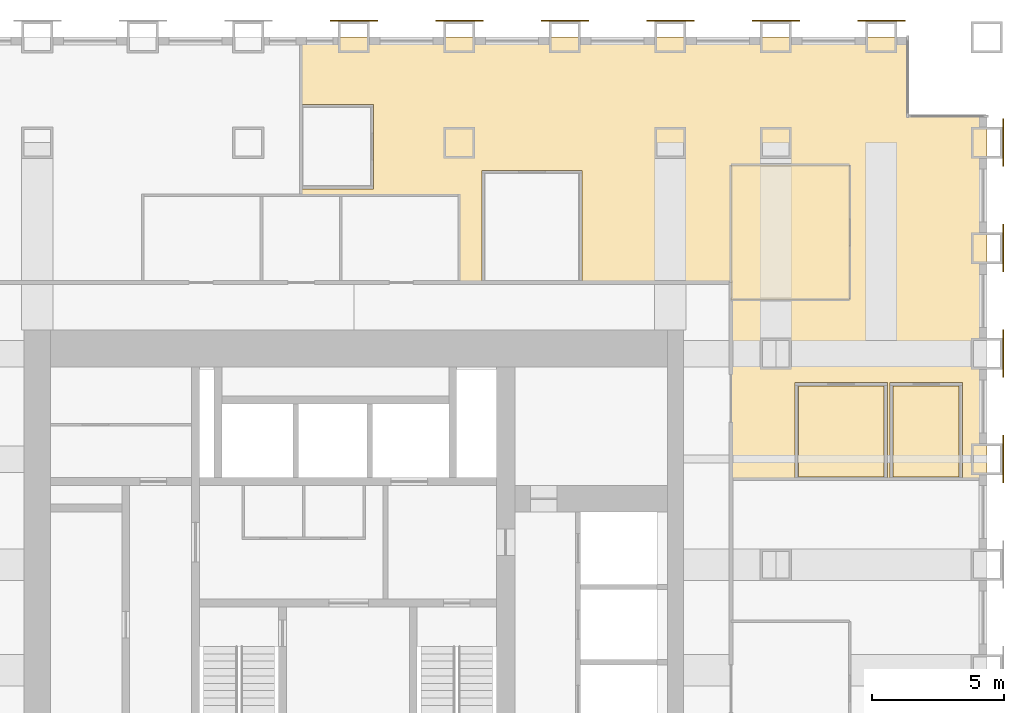
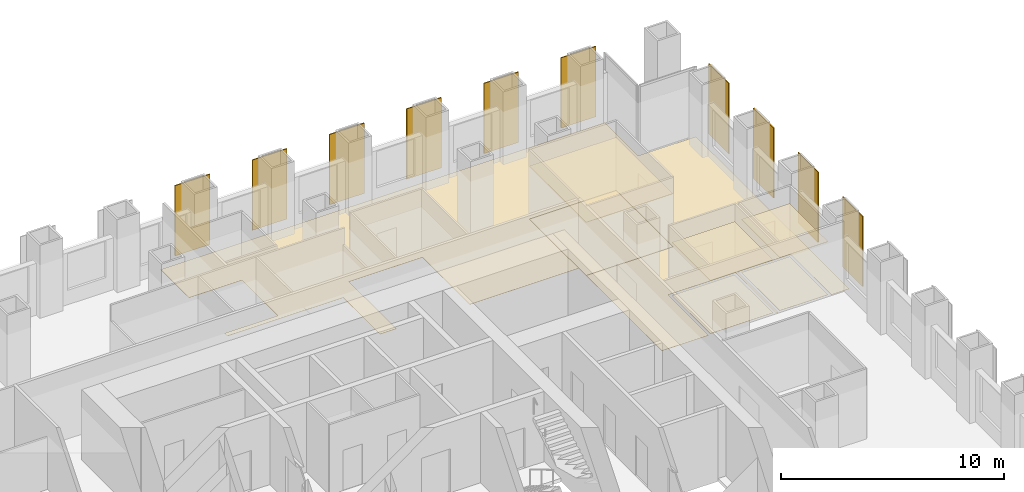
# One storey, part 14 of 14: 10 shading devices, 7 coverings.
"""IFC4 building model written with IfcOpenShell, lengths in metres."""

from ifc_helpers import new_model, si_unit, direction, frame, origin, origin_2d, place, context, subcontext, project, spatial, polyline, rectangle, outline, extrude, material, layer, layer_set, type_object, element, save


model = new_model("IFC4")

# Units and contexts
model_context = context("Model", 3, precision=1e-05, world=origin(), true_north=direction((0.0, 1.0)))
body_context = subcontext(model_context, "Body", "Model", "MODEL_VIEW")
ifc_project = project(units=[si_unit("LENGTHUNIT", "METRE"), si_unit("AREAUNIT", "SQUARE_METRE"), si_unit("VOLUMEUNIT", "CUBIC_METRE"), si_unit("PLANEANGLEUNIT", "RADIAN"), si_unit("MASSUNIT", "GRAM", prefix="KILO")], contexts=[model_context])

# Site, building, storey
site_placement = place(None, origin())
site = spatial("IfcSite", under=ifc_project, at=site_placement, CompositionType="ELEMENT")
building_placement = place(site_placement, origin())
building = spatial("IfcBuilding", under=site, at=building_placement, Name="Rimbunsela Tower", CompositionType="ELEMENT")
storey_placement = place(building_placement, frame((0.0, 0.0, 47.0)))
storey = spatial("IfcBuildingStorey", under=building, at=storey_placement, Name="L11", CompositionType="ELEMENT", Elevation=47.0)

# Coverings
ifc_material_1 = material(Name="Nylon carpet tile", Category="textile")
ifc_layer_1 = layer(ifc_material_1, 0.010009765625)
ifc_layer_set_1 = layer_set([ifc_layer_1], Name="Carpet tile 10")
covering_type_1 = type_object("IfcCoveringType", Name="Carpet tile 10", PredefinedType="FLOORING", material=ifc_layer_set_1)
covering_1_placement = place(storey_placement, origin())
element("IfcCovering", 1, at=covering_1_placement, inside=storey, type_object=covering_type_1, Name="Floor finish Open office", PredefinedType="FLOORING", context=body_context, shape_type="SweptSolid", body=[
    extrude(outline(polyline([(44.300048828125, 38.699951171875), (38.64990234375, 38.699951171875), (38.64990234375, 42.949951171875), (34.85009765625, 42.949951171875), (34.85009765625, 38.699951171875), (34.0, 38.699951171875), (34.0, 42.0), (28.0009765625, 42.0), (28.0009765625, 42.25), (30.75, 42.25), (30.75, 45.449951171875), (28.0009765625, 45.449951171875), (28.0009765625, 48.0), (44.300048828125, 48.0), (51.0, 48.0), (51.0, 45.0), (54.0, 45.0), (54.0, 31.2509765625), (53.074951171875, 31.2509765625), (53.074951171875, 34.89990234375), (50.324951171875, 34.89990234375), (50.324951171875, 31.2509765625), (50.22509765625, 31.2509765625), (50.22509765625, 34.89990234375), (46.72509765625, 34.89990234375), (46.72509765625, 31.2509765625), (44.300048828125, 31.2509765625), (44.300048828125, 38.050048828125), (48.800048828125, 38.050048828125), (48.800048828125, 43.14990234375), (44.300048828125, 43.14990234375), (44.300048828125, 38.699951171875)])), origin(), (0.0, 0.0, 1.0), 0.010009765625),
])
covering_2_placement = place(storey_placement, origin())
element("IfcCovering", 2, at=covering_2_placement, inside=storey, type_object=covering_type_1, Name="Floor finish Reception", PredefinedType="FLOORING", context=body_context, shape_type="SweptSolid", body=[
    extrude(outline(polyline([(48.800048828125, 38.050048828125), (48.800048828125, 43.14990234375), (44.300048828125, 43.14990234375), (44.300048828125, 38.050048828125), (48.800048828125, 38.050048828125)])), origin(), (0.0, 0.0, 1.0), 0.010009765625),
])
covering_3_placement = place(storey_placement, origin())
element("IfcCovering", 3, at=covering_3_placement, inside=storey, type_object=covering_type_1, Name="Floor finish Pantry", PredefinedType="FLOORING", context=body_context, shape_type="SweptSolid", body=[
    extrude(outline(polyline([(50.10009765625, 31.324951171875), (50.10009765625, 34.77490234375), (46.85009765625, 34.77490234375), (46.85009765625, 31.324951171875), (50.10009765625, 31.324951171875)])), origin(), (0.0, 0.0, 1.0), 0.010009765625),
])
covering_4_placement = place(storey_placement, origin())
element("IfcCovering", 4, at=covering_4_placement, inside=storey, type_object=covering_type_1, Name="Floor finish Print and copy room", PredefinedType="FLOORING", context=body_context, shape_type="SweptSolid", body=[
    extrude(outline(polyline([(52.949951171875, 31.324951171875), (52.949951171875, 34.77490234375), (50.449951171875, 34.77490234375), (50.449951171875, 31.324951171875), (52.949951171875, 31.324951171875)])), origin(), (0.0, 0.0, 1.0), 0.010009765625),
])
ifc_material_2 = material(Name="Mineral fibre ceiling tile", Category="gypsum")
ifc_layer_2 = layer(ifc_material_2, 0.02001953125)
ifc_layer_set_2 = layer_set([ifc_layer_2], Name="Ceiling 600 grid")
covering_type_2 = type_object("IfcCoveringType", Name="Ceiling 600 grid", PredefinedType="CEILING", material=ifc_layer_set_2)
covering_5_placement = place(storey_placement, frame((0.0, 0.0, 2.89990234375)))
element("IfcCovering", 5, at=covering_5_placement, inside=storey, type_object=covering_type_2, Name="Ceiling Reception", PredefinedType="CEILING", context=body_context, shape_type="SweptSolid", body=[
    extrude(outline(polyline([(48.800048828125, 38.050048828125), (48.800048828125, 43.14990234375), (44.300048828125, 43.14990234375), (44.300048828125, 38.050048828125), (48.800048828125, 38.050048828125)])), origin(), (0.0, 0.0, 1.0), 0.02001953125),
])
covering_6_placement = place(storey_placement, frame((0.0, 0.0, 2.89990234375)))
element("IfcCovering", 6, at=covering_6_placement, inside=storey, type_object=covering_type_2, Name="Ceiling Pantry", PredefinedType="CEILING", context=body_context, shape_type="SweptSolid", body=[
    extrude(outline(polyline([(50.10009765625, 31.324951171875), (50.10009765625, 34.77490234375), (46.85009765625, 34.77490234375), (46.85009765625, 31.324951171875), (50.10009765625, 31.324951171875)])), origin(), (0.0, 0.0, 1.0), 0.02001953125),
])
covering_7_placement = place(storey_placement, frame((0.0, 0.0, 2.89990234375)))
element("IfcCovering", 7, at=covering_7_placement, inside=storey, type_object=covering_type_2, Name="Ceiling Print and copy room", PredefinedType="CEILING", context=body_context, shape_type="SweptSolid", body=[
    extrude(outline(polyline([(52.949951171875, 31.324951171875), (52.949951171875, 34.77490234375), (50.449951171875, 34.77490234375), (50.449951171875, 31.324951171875), (52.949951171875, 31.324951171875)])), origin(), (0.0, 0.0, 1.0), 0.02001953125),
])

# Shading devices
ifc_material_3 = material(Name="Perforated aluminium, 35 % open area", Category="aluminium")
ifc_layer_3 = layer(ifc_material_3, 0.050048828125)
ifc_layer_set_3 = layer_set([ifc_layer_3], Name="Solar screen panel 1800")
shading_device_type = type_object("IfcShadingDeviceType", Name="Solar screen panel 1800", PredefinedType="USERDEFINED", material=ifc_layer_set_3)
for number, where, z_axis, x_axis, name in (
    (8, (54.625, 32.0, 0.0), (0.0, 0.0, 1.0), (0.0, 1.0, 0.0), "Solar screen E L11"),
    (9, (54.625, 36.0, 0.0), (0.0, 0.0, 1.0), (0.0, 1.0, 0.0), "Solar screen E L11"),
    (10, (54.625, 40.0, 0.0), (0.0, 0.0, 1.0), (0.0, 1.0, 0.0), "Solar screen E L11"),
    (11, (54.625, 44.0, 0.0), (0.0, 0.0, 1.0), (0.0, 1.0, 0.0), "Solar screen E L11"),
    (12, (30.0, 48.625, 0.0), (0.0, 0.0, 1.0), (1.0, 0.0, 0.0), "Solar screen N L11"),
    (13, (34.0, 48.625, 0.0), (0.0, 0.0, 1.0), (1.0, 0.0, 0.0), "Solar screen N L11"),
    (14, (38.0, 48.625, 0.0), (0.0, 0.0, 1.0), (1.0, 0.0, 0.0), "Solar screen N L11"),
    (15, (42.0, 48.625, 0.0), (0.0, 0.0, 1.0), (1.0, 0.0, 0.0), "Solar screen N L11"),
    (16, (46.0, 48.625, 0.0), (0.0, 0.0, 1.0), (1.0, 0.0, 0.0), "Solar screen N L11"),
    (17, (50.0, 48.625, 0.0), (0.0, 0.0, 1.0), (1.0, 0.0, 0.0), "Solar screen N L11"),
):
    element("IfcShadingDevice", number, at=place(storey_placement, frame(where, z_axis=z_axis, x_axis=x_axis)), inside=storey, type_object=shading_device_type, Name=name, ObjectType="SCREEN", PredefinedType="USERDEFINED", context=body_context, shape_type="SweptSolid", body=[
        extrude(rectangle(XDim=1.800048828125, YDim=0.050048828125, at=origin_2d()), origin(), (0.0, 0.0, 1.0), 3.85009765625),
    ])

save(model, "model.ifc")
